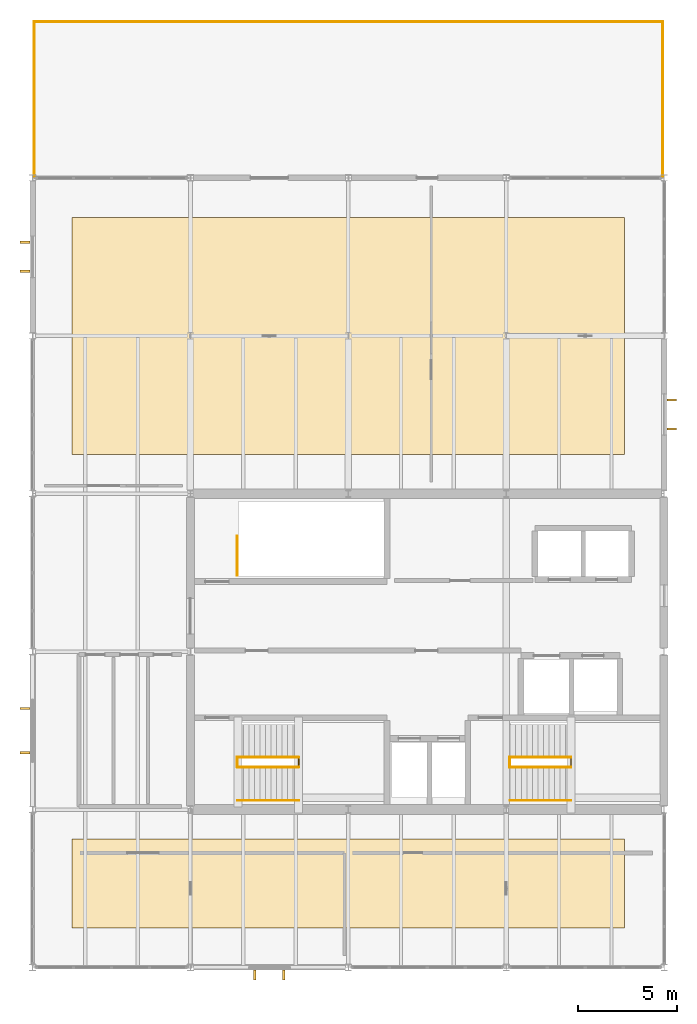
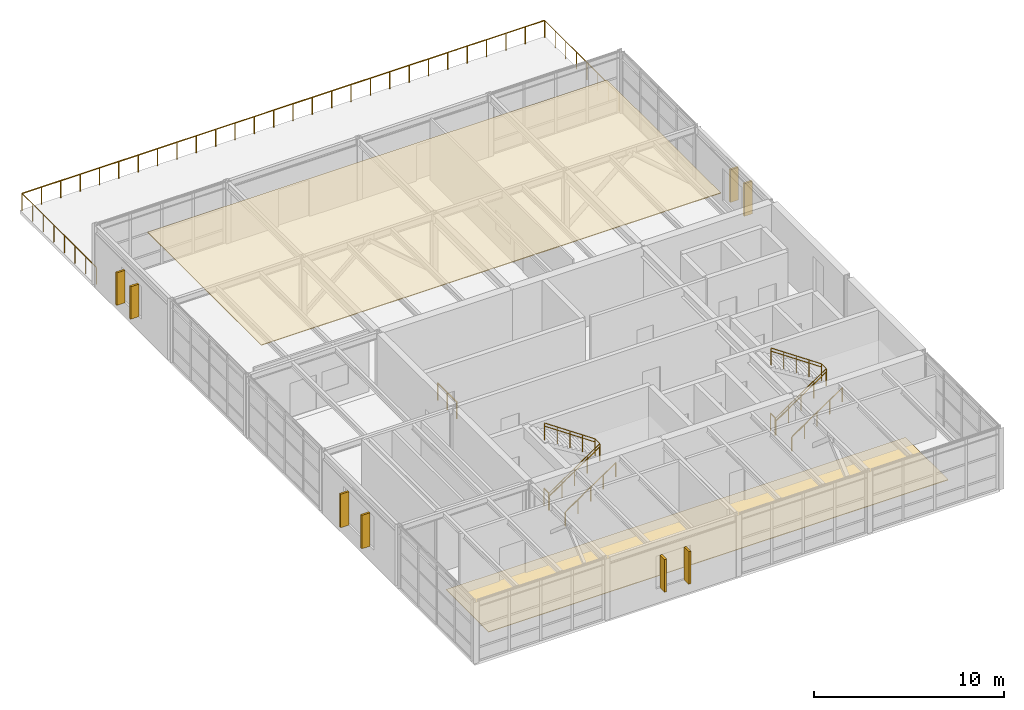
# One storey, part 15 of 15: 16 railings, 8 shading devices, 2 coverings.
"""IFC4 building model written with IfcOpenShell, lengths in metres."""

import ifcopenshell
import ifcopenshell.guid

model = None  # the IFC model being written
_history = None  # IfcOwnerHistory: only IFC2X3 demands one
_inside = {}  # id of a spatial element -> (the spatial element, [elements in it])
_under = {}  # id of a project, library or spatial element -> (it, [spatial elements below it])
_declared = {}  # id of a project -> (the project, [libraries it declares])
_typed = {}  # id of a type object -> (the type object, [elements of that type])
_made_of = {}  # id of a material, layer set ... -> (it, [elements and type objects made of it])


def new_model(schema):
    """Start an empty IFC model of exactly this schema.

    Asked for "IFC4X3", IfcOpenShell would pick the latest addendum, in which some entities
    have other attributes; the version numbers below select the first issue.
    IFC2X3 requires an IfcOwnerHistory on every rooted entity: one is made here for all.
    """
    global model, _history
    if schema == "IFC4X3":
        model = ifcopenshell.file(schema_version=(4, 3, 0, 0))
    else:
        model = ifcopenshell.file(schema=schema)
    _inside.clear()
    _under.clear()
    _declared.clear()
    _typed.clear()
    _made_of.clear()
    _history = None
    if model.schema == "IFC2X3":
        org = make("IfcOrganization", Name="unknown")
        user = make(
            "IfcPersonAndOrganization",
            ThePerson=make("IfcPerson", FamilyName="unknown"),
            TheOrganization=org,
        )
        app = make(
            "IfcApplication",
            ApplicationDeveloper=org,
            Version="unknown",
            ApplicationFullName="unknown",
            ApplicationIdentifier="unknown",
        )
        _history = make(
            "IfcOwnerHistory",
            OwningUser=user,
            OwningApplication=app,
            ChangeAction="ADDED",
            CreationDate=0,
        )
    return model


def make(cls, **values):
    """One entity of the class cls with the attributes given. An attribute that is None is left unset."""
    return model.create_entity(
        cls, **{name: value for name, value in values.items() if value is not None}
    )


def rooted(cls, **values):
    """An entity with a GlobalId (a new one), such as an element, a storey or a relation."""
    return make(cls, GlobalId=ifcopenshell.guid.new(), OwnerHistory=_history, **values)


def si_unit(unit_type, name, prefix=None):
    """IfcSIUnit, for example si_unit("LENGTHUNIT", "METRE", prefix="MILLI")."""
    return make("IfcSIUnit", UnitType=unit_type, Prefix=prefix, Name=name)


def assignment(units):
    """IfcUnitAssignment: the units of a project."""
    return None if units is None else make("IfcUnitAssignment", Units=units)


def point(xyz):
    """IfcCartesianPoint."""
    return None if xyz is None else make("IfcCartesianPoint", Coordinates=xyz)


def direction(xyz):
    """IfcDirection."""
    return None if xyz is None else make("IfcDirection", DirectionRatios=xyz)


def frame(location, z_axis=None, x_axis=None):
    """IfcAxis2Placement3D, a coordinate frame: its origin and axes. An axis left out is left unset."""
    return make(
        "IfcAxis2Placement3D",
        Location=point(location),
        Axis=direction(z_axis),
        RefDirection=direction(x_axis),
    )


def frame_2d(location, x_axis=None):
    """IfcAxis2Placement2D, a coordinate frame in the plane: its origin and x axis."""
    return make(
        "IfcAxis2Placement2D", Location=point(location), RefDirection=direction(x_axis)
    )


def origin():
    """The frame at (0, 0, 0) with its axes left unset."""
    return frame((0.0, 0.0, 0.0))


def origin_2d():
    """The frame at (0, 0) in the plane with its x axis left unset."""
    return frame_2d((0.0, 0.0))


def place(relative_to, where):
    """IfcLocalPlacement: puts the frame where relative to a parent placement (None: the world)."""
    return make(
        "IfcLocalPlacement", PlacementRelTo=relative_to, RelativePlacement=where
    )


def context(
    kind, dimensions, precision=None, world=None, true_north=None, identifier=None
):
    """IfcGeometricRepresentationContext, for example the 3D "Model" context."""
    return make(
        "IfcGeometricRepresentationContext",
        ContextIdentifier=identifier,
        ContextType=kind,
        CoordinateSpaceDimension=dimensions,
        Precision=precision,
        WorldCoordinateSystem=world,
        TrueNorth=true_north,
    )


def subcontext(parent, identifier, kind, view, scale=None):
    """IfcGeometricRepresentationSubContext, for example "Body" below "Model"."""
    return make(
        "IfcGeometricRepresentationSubContext",
        ContextIdentifier=identifier,
        ContextType=kind,
        ParentContext=parent,
        TargetScale=scale,
        TargetView=view,
    )


def project(units=None, contexts=None):
    """IfcProject with its units and contexts."""
    return rooted(
        "IfcProject",
        Name="project",
        RepresentationContexts=contexts,
        UnitsInContext=assignment(units),
    )


def spatial(cls, under=None, at=None, **own):
    """A site, building, storey or space (cls), placed at a placement, below another one or the project."""
    s = rooted(cls, ObjectPlacement=at, **own)
    if under is not None:
        _under.setdefault(under.id(), (under, []))[1].append(s)
    return s


def polyline(points):
    """IfcPolyline through the points."""
    return make("IfcPolyline", Points=[point(p) for p in points])


def profile(cls, at=None, kind="AREA", **sizes):
    """A parametric profile (cls). Its sizes go by their IFC names, for example OverallWidth=200.0."""
    return make(cls, ProfileType=kind, Position=at, **sizes)


def rectangle(**sizes):
    """IfcRectangleProfileDef."""
    return profile("IfcRectangleProfileDef", **sizes)


def circle(**sizes):
    """IfcCircleProfileDef."""
    return profile("IfcCircleProfileDef", **sizes)


def outline(outer, holes=None, kind="AREA"):
    """IfcArbitraryClosedProfileDef: a profile drawn as a closed curve; with holes, ...WithVoids."""
    if holes is None:
        return make("IfcArbitraryClosedProfileDef", ProfileType=kind, OuterCurve=outer)
    return make(
        "IfcArbitraryProfileDefWithVoids",
        ProfileType=kind,
        OuterCurve=outer,
        InnerCurves=holes,
    )


def extrude(swept, where, along, depth):
    """IfcExtrudedAreaSolid: the profile swept, set in the frame where, extruded along a direction by depth."""
    return make(
        "IfcExtrudedAreaSolid",
        SweptArea=swept,
        Position=where,
        ExtrudedDirection=direction(along),
        Depth=depth,
    )


def shape(context_of_items, identifier, shape_type, items):
    """IfcShapeRepresentation: the items that make up one representation, for example the "Body"."""
    return make(
        "IfcShapeRepresentation",
        ContextOfItems=context_of_items,
        RepresentationIdentifier=identifier,
        RepresentationType=shape_type,
        Items=items,
    )


def material(Name=None, Category=None):
    """IfcMaterial."""
    return make("IfcMaterial", Name=Name, Category=Category)


def layer(
    of_material, thickness, ventilated=None, Name=None, Category=None, Priority=None
):
    """IfcMaterialLayer: one layer of a wall or slab, of a material (None: an air gap)."""
    return make(
        "IfcMaterialLayer",
        Material=of_material,
        LayerThickness=thickness,
        IsVentilated=ventilated,
        Name=Name,
        Category=Category,
        Priority=Priority,
    )


def layer_set(layers, Name=None):
    """IfcMaterialLayerSet."""
    return make("IfcMaterialLayerSet", MaterialLayers=layers, LayerSetName=Name)


def made_of(thing, what):
    """Note that an element or type object is made of a material, layer set ...; save() writes the relation."""
    if what is not None:
        _made_of.setdefault(what.id(), (what, []))[1].append(thing)
    return thing


def type_object(cls, material=None, **own):
    """A type object (cls), such as IfcWallType, which elements share."""
    return made_of(rooted(cls, **own), material)


def element(
    cls,
    number,
    at=None,
    inside=None,
    cuts=None,
    type_object=None,
    material=None,
    context=None,
    identifier="Body",
    shape_type=None,
    held_by="IfcProductDefinitionShape",
    body=None,
    shapes=None,
    **own,
):
    """One element of the class cls, such as IfcWall. Its Tag is "e" and its number.

    at: its placement. inside: the storey or other place that contains it. cuts: it is an
    opening in that element (IfcRelVoidsElement). A single representation is given by context,
    identifier, shape_type and body (its items); several are given by shapes. held_by: the class
    of the entity that holds the representations. save() writes the other relations.
    """
    e = rooted(cls, Tag="e%d" % number, ObjectPlacement=at, **own)
    if body is not None:
        shapes = [shape(context, identifier, shape_type, body)]
    if shapes is not None:
        e.Representation = make(held_by, Representations=shapes)
    if inside is not None:
        _inside.setdefault(inside.id(), (inside, []))[1].append(e)
    if cuts is not None:
        rooted(
            "IfcRelVoidsElement", RelatingBuildingElement=cuts, RelatedOpeningElement=e
        )
    if type_object is not None:
        _typed.setdefault(type_object.id(), (type_object, []))[1].append(e)
    return made_of(e, material)


def aggregate(whole, parts):
    """IfcRelAggregates: a whole, such as a stair, and the parts it consists of."""
    return rooted("IfcRelAggregates", RelatingObject=whole, RelatedObjects=parts)


def save(model, path):
    """Write the relations noted so far, then the file.

    IfcRelAggregates (storeys below a building ...), IfcRelContainedInSpatialStructure (elements
    in a storey), IfcRelDefinesByType, IfcRelAssociatesMaterial and IfcRelDeclares: one each for
    every whole, place, type object, material and project.
    """
    for whole, parts in _under.values():
        aggregate(whole, parts)
    for where, things in _inside.values():
        rooted(
            "IfcRelContainedInSpatialStructure",
            RelatedElements=things,
            RelatingStructure=where,
        )
    for kind, things in _typed.values():
        rooted("IfcRelDefinesByType", RelatedObjects=things, RelatingType=kind)
    for what, things in _made_of.values():
        rooted("IfcRelAssociatesMaterial", RelatedObjects=things, RelatingMaterial=what)
    for by, libraries in _declared.values():
        rooted("IfcRelDeclares", RelatingContext=by, RelatedDefinitions=libraries)
    model.write(path)


model = new_model("IFC4")

# Units and contexts
model_context = context("Model", 3, precision=1e-05, world=origin(), true_north=direction((0.0, 1.0)))
body_context = subcontext(model_context, "Body", "Model", "MODEL_VIEW")
ifc_project = project(units=[si_unit("LENGTHUNIT", "METRE"), si_unit("AREAUNIT", "SQUARE_METRE"), si_unit("VOLUMEUNIT", "CUBIC_METRE"), si_unit("PLANEANGLEUNIT", "RADIAN"), si_unit("MASSUNIT", "GRAM", prefix="KILO")], contexts=[model_context])

# Site, building, storey
site_placement = place(None, origin())
site = spatial("IfcSite", under=ifc_project, at=site_placement, CompositionType="ELEMENT")
building_placement = place(site_placement, origin())
building = spatial("IfcBuilding", under=site, at=building_placement, Name="Varnela Railside Interchange", CompositionType="ELEMENT")
storey_placement = place(building_placement, frame((0.0, 0.0, 32.199951171875)))
storey = spatial("IfcBuildingStorey", under=building, at=storey_placement, Name="L07", CompositionType="ELEMENT", Elevation=32.199951171875)

# Covering
ifc_material_1 = material(Name="Concrete C40 precast", Category="concrete")
ifc_layer_1 = layer(ifc_material_1, 0.034912109375)
ifc_layer_set_1 = layer_set([ifc_layer_1], Name="Concrete C40 precast")
covering_type_1 = type_object("IfcCoveringType", Name="Heavy-Duty Granite Terrazzo Flooring CV-FLR", PredefinedType="FLOORING", material=ifc_layer_set_1)
covering_1_placement = place(storey_placement, origin())
element("IfcCovering", 1, at=covering_1_placement, inside=storey, type_object=covering_type_1, Name="Heavy-Duty Granite Terrazzo Flooring CV-FLR", PredefinedType="FLOORING", context=body_context, shape_type="SweptSolid", body=[
    extrude(outline(polyline([(6.0, 48.0), (34.0, 48.0), (34.0, 52.5), (6.0, 52.5), (6.0, 48.0)])), origin(), (0.0, 0.0, 1.0), 0.03515625),
])

# Shading devices
shading_device_type = type_object("IfcShadingDeviceType", Name="Paulista Vertical Brise-Soleil BS-01", PredefinedType="USERDEFINED", material=ifc_material_1)
for number, where, z_axis, x_axis, name in (
    (2, (16.735107421875, 45.614990234375, 0.949951171875), (0.0, 0.0, 1.0), (0.0, -1.0, 0.0), "Paulista Vertical Brise-Soleil BS-01 (L07)"),
    (3, (15.264892578125, 45.614990234375, 0.949951171875), (0.0, 0.0, 1.0), (0.0, -1.0, 0.0), "Paulista Vertical Brise-Soleil BS-01 (L07)"),
):
    element("IfcShadingDevice", number, at=place(storey_placement, frame(where, z_axis=z_axis, x_axis=x_axis)), inside=storey, type_object=shading_device_type, Name=name, ObjectType="FIN", PredefinedType="USERDEFINED", context=body_context, shape_type="SweptSolid", body=[
        extrude(rectangle(XDim=0.5, YDim=0.1201171875, at=origin_2d()), origin(), (0.0, 0.0, 1.0), 2.10009765625),
    ])
for number, where, z_axis, x_axis, name in (
    (4, (3.614990234375, 56.8798828125, 0.9501953125), (0.0, 0.0, 1.0), (-1.0, 0.0, 0.0), "Paulista Vertical Brise-Soleil BS-01 (L07)"),
    (5, (3.614990234375, 59.1201171875, 0.9501953125), (0.0, 0.0, 1.0), (-1.0, 0.0, 0.0), "Paulista Vertical Brise-Soleil BS-01 (L07)"),
):
    element("IfcShadingDevice", number, at=place(storey_placement, frame(where, z_axis=z_axis, x_axis=x_axis)), inside=storey, type_object=shading_device_type, Name=name, ObjectType="FIN", PredefinedType="USERDEFINED", context=body_context, shape_type="SweptSolid", body=[
        extrude(rectangle(XDim=0.5, YDim=0.1201171875, at=origin_2d()), origin(), (0.0, 0.0, 1.0), 2.14990234375),
    ])
for number, where, z_axis, x_axis, name in (
    (6, (3.614990234375, 81.264892578125, 0.949951171875), (0.0, 0.0, 1.0), (-1.0, 0.0, 0.0), "Paulista Vertical Brise-Soleil BS-01 (L07)"),
    (7, (3.614990234375, 82.735107421875, 0.949951171875), (0.0, 0.0, 1.0), (-1.0, 0.0, 0.0), "Paulista Vertical Brise-Soleil BS-01 (L07)"),
    (8, (36.385009765625, 74.748779296875, 0.949951171875), (0.0, 0.0, 1.0), (1.0, 0.0, 0.0), "Paulista Vertical Brise-Soleil BS-01 (L07)"),
    (9, (36.385009765625, 73.27880859375, 0.949951171875), (0.0, 0.0, 1.0), (1.0, 0.0, 0.0), "Paulista Vertical Brise-Soleil BS-01 (L07)"),
):
    element("IfcShadingDevice", number, at=place(storey_placement, frame(where, z_axis=z_axis, x_axis=x_axis)), inside=storey, type_object=shading_device_type, Name=name, ObjectType="FIN", PredefinedType="USERDEFINED", context=body_context, shape_type="SweptSolid", body=[
        extrude(rectangle(XDim=0.5, YDim=0.1201171875, at=origin_2d()), origin(), (0.0, 0.0, 1.0), 2.10009765625),
    ])

# Covering
ifc_material_2 = material(Name="Gypsum acoustic board")
ifc_layer_2 = layer(ifc_material_2, 0.044921875)
ifc_layer_set_2 = layer_set([ifc_layer_2], Name="Gypsum acoustic board")
covering_type_2 = type_object("IfcCoveringType", Name="Perforated Acoustic Baffle Ceiling CV-CLG", PredefinedType="CEILING", material=ifc_layer_set_2)
covering_2_placement = place(storey_placement, frame((0.0, 0.0, 3.9150390625)))
element("IfcCovering", 10, at=covering_2_placement, inside=storey, type_object=covering_type_2, Name="Perforated Acoustic Baffle Ceiling CV-CLG", PredefinedType="CEILING", context=body_context, shape_type="SweptSolid", body=[
    extrude(outline(polyline([(6.0, 72.0), (34.0, 72.0), (34.0, 84.0), (6.0, 84.0), (6.0, 72.0)])), origin(), (0.0, 0.0, 1.0), 0.044921875),
])

# Railings
ifc_material_3 = material(Name="Steel AR 350 (350 MPa)", Category="steel")
railing_type_1 = type_object("IfcRailingType", Name="Perimeter Terrace Guardrail GR-01", PredefinedType="GUARDRAIL", material=ifc_material_3)
railing_1_placement = place(storey_placement, frame((4.080078125, 86.080078125, 0.0)))
element("IfcRailing", 11, at=railing_1_placement, inside=storey, type_object=railing_type_1, Name="OCC North Observation Terrace Guardrail (W) (RL-0481)", PredefinedType="GUARDRAIL", context=body_context, shape_type="SweptSolid", body=[
    extrude(circle(Radius=0.02392578125, at=origin_2d()), frame((0.0, 0.0, 1.09619140625), z_axis=(0.0, 1.0, 0.0), x_axis=(-1.0, 0.0, 0.0)), (0.0, 0.0, 1.0), 7.83984375),
    extrude(circle(Radius=0.02099609375, at=origin_2d()), origin(), (0.0, 0.0, 1.0), 1.072021484375),
    extrude(circle(Radius=0.02099609375, at=origin_2d()), frame((0.0, 1.119873046875, 0.0)), (0.0, 0.0, 1.0), 1.072021484375),
    extrude(circle(Radius=0.02099609375, at=origin_2d()), frame((0.0, 2.239990234375, 0.0)), (0.0, 0.0, 1.0), 1.072021484375),
    extrude(circle(Radius=0.02099609375, at=origin_2d()), frame((0.0, 3.35986328125, 0.0)), (0.0, 0.0, 1.0), 1.072021484375),
    extrude(circle(Radius=0.02099609375, at=origin_2d()), frame((0.0, 4.47998046875, 0.0)), (0.0, 0.0, 1.0), 1.072021484375),
    extrude(circle(Radius=0.02099609375, at=origin_2d()), frame((0.0, 5.599853515625, 0.0)), (0.0, 0.0, 1.0), 1.072021484375),
    extrude(circle(Radius=0.02099609375, at=origin_2d()), frame((0.0, 6.719970703125, 0.0)), (0.0, 0.0, 1.0), 1.072021484375),
    extrude(circle(Radius=0.02099609375, at=origin_2d()), frame((0.0, 7.83984375, 0.0)), (0.0, 0.0, 1.0), 1.072021484375),
])
railing_2_placement = place(storey_placement, frame((4.080078125, 93.919921875, 0.0)))
element("IfcRailing", 12, at=railing_2_placement, inside=storey, type_object=railing_type_1, Name="OCC North Observation Terrace Guardrail (N) (RL-0480)", PredefinedType="GUARDRAIL", context=body_context, shape_type="SweptSolid", body=[
    extrude(circle(Radius=0.02392578125, at=origin_2d()), frame((0.0, 0.0, 1.09619140625), z_axis=(1.0, 0.0, 0.0), x_axis=(0.0, 1.0, 0.0)), (0.0, 0.0, 1.0), 31.83984375),
    extrude(circle(Radius=0.02099609375, at=origin_2d()), origin(), (0.0, 0.0, 1.0), 1.072021484375),
    extrude(circle(Radius=0.02099609375, at=origin_2d()), frame((1.17919921875, 0.0, 0.0)), (0.0, 0.0, 1.0), 1.072021484375),
    extrude(circle(Radius=0.02099609375, at=origin_2d()), frame((2.3583984375, 0.0, 0.0)), (0.0, 0.0, 1.0), 1.072021484375),
    extrude(circle(Radius=0.02099609375, at=origin_2d()), frame((3.537841796875, 0.0, 0.0)), (0.0, 0.0, 1.0), 1.072021484375),
    extrude(circle(Radius=0.02099609375, at=origin_2d()), frame((4.717041015625, 0.0, 0.0)), (0.0, 0.0, 1.0), 1.072021484375),
    extrude(circle(Radius=0.02099609375, at=origin_2d()), frame((5.896240234375, 0.0, 0.0)), (0.0, 0.0, 1.0), 1.072021484375),
    extrude(circle(Radius=0.02099609375, at=origin_2d()), frame((7.075439453125, 0.0, 0.0)), (0.0, 0.0, 1.0), 1.072021484375),
    extrude(circle(Radius=0.02099609375, at=origin_2d()), frame((8.2548828125, 0.0, 0.0)), (0.0, 0.0, 1.0), 1.072021484375),
    extrude(circle(Radius=0.02099609375, at=origin_2d()), frame((9.43408203125, 0.0, 0.0)), (0.0, 0.0, 1.0), 1.072021484375),
    extrude(circle(Radius=0.02099609375, at=origin_2d()), frame((10.61328125, 0.0, 0.0)), (0.0, 0.0, 1.0), 1.072021484375),
    extrude(circle(Radius=0.02099609375, at=origin_2d()), frame((11.79248046875, 0.0, 0.0)), (0.0, 0.0, 1.0), 1.072021484375),
    extrude(circle(Radius=0.02099609375, at=origin_2d()), frame((12.9716796875, 0.0, 0.0)), (0.0, 0.0, 1.0), 1.072021484375),
    extrude(circle(Radius=0.02099609375, at=origin_2d()), frame((14.151123046875, 0.0, 0.0)), (0.0, 0.0, 1.0), 1.072021484375),
    extrude(circle(Radius=0.02099609375, at=origin_2d()), frame((15.330322265625, 0.0, 0.0)), (0.0, 0.0, 1.0), 1.072021484375),
    extrude(circle(Radius=0.02099609375, at=origin_2d()), frame((16.509521484375, 0.0, 0.0)), (0.0, 0.0, 1.0), 1.072021484375),
    extrude(circle(Radius=0.02099609375, at=origin_2d()), frame((17.688720703125, 0.0, 0.0)), (0.0, 0.0, 1.0), 1.072021484375),
    extrude(circle(Radius=0.02099609375, at=origin_2d()), frame((18.8681640625, 0.0, 0.0)), (0.0, 0.0, 1.0), 1.072021484375),
    extrude(circle(Radius=0.02099609375, at=origin_2d()), frame((20.04736328125, 0.0, 0.0)), (0.0, 0.0, 1.0), 1.072021484375),
    extrude(circle(Radius=0.02099609375, at=origin_2d()), frame((21.2265625, 0.0, 0.0)), (0.0, 0.0, 1.0), 1.072021484375),
    extrude(circle(Radius=0.02099609375, at=origin_2d()), frame((22.40576171875, 0.0, 0.0)), (0.0, 0.0, 1.0), 1.072021484375),
    extrude(circle(Radius=0.02099609375, at=origin_2d()), frame((23.5849609375, 0.0, 0.0)), (0.0, 0.0, 1.0), 1.072021484375),
    extrude(circle(Radius=0.02099609375, at=origin_2d()), frame((24.764404296875, 0.0, 0.0)), (0.0, 0.0, 1.0), 1.072021484375),
    extrude(circle(Radius=0.02099609375, at=origin_2d()), frame((25.943603515625, 0.0, 0.0)), (0.0, 0.0, 1.0), 1.072021484375),
    extrude(circle(Radius=0.02099609375, at=origin_2d()), frame((27.122802734375, 0.0, 0.0)), (0.0, 0.0, 1.0), 1.072021484375),
    extrude(circle(Radius=0.02099609375, at=origin_2d()), frame((28.302001953125, 0.0, 0.0)), (0.0, 0.0, 1.0), 1.072021484375),
    extrude(circle(Radius=0.02099609375, at=origin_2d()), frame((29.4814453125, 0.0, 0.0)), (0.0, 0.0, 1.0), 1.072021484375),
    extrude(circle(Radius=0.02099609375, at=origin_2d()), frame((30.66064453125, 0.0, 0.0)), (0.0, 0.0, 1.0), 1.072021484375),
    extrude(circle(Radius=0.02099609375, at=origin_2d()), frame((31.83984375, 0.0, 0.0)), (0.0, 0.0, 1.0), 1.072021484375),
])
railing_3_placement = place(storey_placement, frame((35.919921875, 86.080078125, 0.0)))
element("IfcRailing", 13, at=railing_3_placement, inside=storey, type_object=railing_type_1, Name="OCC North Observation Terrace Guardrail (E) (RL-0479)", PredefinedType="GUARDRAIL", context=body_context, shape_type="SweptSolid", body=[
    extrude(circle(Radius=0.02392578125, at=origin_2d()), frame((0.0, 0.0, 1.09619140625), z_axis=(0.0, 1.0, 0.0), x_axis=(-1.0, 0.0, 0.0)), (0.0, 0.0, 1.0), 7.83984375),
    extrude(circle(Radius=0.02099609375, at=origin_2d()), origin(), (0.0, 0.0, 1.0), 1.072021484375),
    extrude(circle(Radius=0.02099609375, at=origin_2d()), frame((0.0, 1.119873046875, 0.0)), (0.0, 0.0, 1.0), 1.072021484375),
    extrude(circle(Radius=0.02099609375, at=origin_2d()), frame((0.0, 2.239990234375, 0.0)), (0.0, 0.0, 1.0), 1.072021484375),
    extrude(circle(Radius=0.02099609375, at=origin_2d()), frame((0.0, 3.35986328125, 0.0)), (0.0, 0.0, 1.0), 1.072021484375),
    extrude(circle(Radius=0.02099609375, at=origin_2d()), frame((0.0, 4.47998046875, 0.0)), (0.0, 0.0, 1.0), 1.072021484375),
    extrude(circle(Radius=0.02099609375, at=origin_2d()), frame((0.0, 5.599853515625, 0.0)), (0.0, 0.0, 1.0), 1.072021484375),
    extrude(circle(Radius=0.02099609375, at=origin_2d()), frame((0.0, 6.719970703125, 0.0)), (0.0, 0.0, 1.0), 1.072021484375),
    extrude(circle(Radius=0.02099609375, at=origin_2d()), frame((0.0, 7.83984375, 0.0)), (0.0, 0.0, 1.0), 1.072021484375),
])
railing_type_2 = type_object("IfcRailingType", Name="Stair & Ramp Pitch Handrail HR-01", PredefinedType="HANDRAIL", material=ifc_material_3)
railing_4_placement = place(storey_placement, frame((14.39990234375, 56.14990234375, 0.0)))
element("IfcRailing", 14, at=railing_4_placement, inside=storey, type_object=railing_type_2, Name="Stair Handrail ST-T1 Flight 1 (RL-0482)", PredefinedType="HANDRAIL", context=body_context, shape_type="SweptSolid", body=[
    extrude(circle(Radius=0.02392578125, at=origin_2d()), frame((0.0, 0.0, 0.89599609375), z_axis=(0.826221800596, 0.0, 0.563344953133), x_axis=(0.0, 1.0, 0.0)), (0.0, 0.0, 1.0), 3.72802734375),
    extrude(circle(Radius=0.02099609375, at=origin_2d()), origin(), (0.0, 0.0, 1.0), 0.871826171875),
    extrude(circle(Radius=0.02099609375, at=origin_2d()), frame((0.77001953125, 0.0, 0.52490234375)), (0.0, 0.0, 1.0), 0.871826171875),
    extrude(circle(Radius=0.02099609375, at=origin_2d()), frame((1.5400390625, 0.0, 1.050048828125)), (0.0, 0.0, 1.0), 0.871826171875),
    extrude(circle(Radius=0.02099609375, at=origin_2d()), frame((2.31005859375, 0.0, 1.5751953125)), (0.0, 0.0, 1.0), 0.871826171875),
    extrude(circle(Radius=0.02099609375, at=origin_2d()), frame((3.080078125, 0.0, 2.10009765625)), (0.0, 0.0, 1.0), 0.871826171875),
])
railing_5_placement = place(storey_placement, frame((17.47998046875, 56.64990234375, 2.10009765625)))
element("IfcRailing", 15, at=railing_5_placement, inside=storey, type_object=railing_type_2, Name="Stair Handrail ST-T1 Flight 2 (RL-0483)", PredefinedType="HANDRAIL", context=body_context, shape_type="SweptSolid", body=[
    extrude(circle(Radius=0.02392578125, at=origin_2d()), frame((0.0, 0.0, 0.89599609375), z_axis=(-0.826252282691, 0.0, 0.563300244406), x_axis=(0.0, -1.0, 0.0)), (0.0, 0.0, 1.0), 3.727783203125),
    extrude(circle(Radius=0.02099609375, at=origin_2d()), origin(), (0.0, 0.0, 1.0), 0.871826171875),
    extrude(circle(Radius=0.02099609375, at=origin_2d()), frame((-0.77001953125, 0.0, 0.52490234375)), (0.0, 0.0, 1.0), 0.871826171875),
    extrude(circle(Radius=0.02099609375, at=origin_2d()), frame((-1.5400390625, 0.0, 1.0498046875)), (0.0, 0.0, 1.0), 0.871826171875),
    extrude(circle(Radius=0.02099609375, at=origin_2d()), frame((-2.31005859375, 0.0, 1.574951171875)), (0.0, 0.0, 1.0), 0.871826171875),
    extrude(circle(Radius=0.02099609375, at=origin_2d()), frame((-3.080078125, 0.0, 2.099853515625)), (0.0, 0.0, 1.0), 0.871826171875),
])
railing_6_placement = place(storey_placement, frame((28.199951171875, 56.14990234375, 0.0)))
element("IfcRailing", 16, at=railing_6_placement, inside=storey, type_object=railing_type_2, Name="Stair Handrail ST-T2 Flight 1 (RL-0484)", PredefinedType="HANDRAIL", context=body_context, shape_type="SweptSolid", body=[
    extrude(circle(Radius=0.02392578125, at=origin_2d()), frame((0.0, 0.0, 0.89599609375), z_axis=(0.826221800596, 0.0, 0.563344953133), x_axis=(0.0, 1.0, 0.0)), (0.0, 0.0, 1.0), 3.72802734375),
    extrude(circle(Radius=0.02099609375, at=origin_2d()), origin(), (0.0, 0.0, 1.0), 0.871826171875),
    extrude(circle(Radius=0.02099609375, at=origin_2d()), frame((0.77001953125, 0.0, 0.52490234375)), (0.0, 0.0, 1.0), 0.871826171875),
    extrude(circle(Radius=0.02099609375, at=origin_2d()), frame((1.5400390625, 0.0, 1.050048828125)), (0.0, 0.0, 1.0), 0.871826171875),
    extrude(circle(Radius=0.02099609375, at=origin_2d()), frame((2.31005859375, 0.0, 1.5751953125)), (0.0, 0.0, 1.0), 0.871826171875),
    extrude(circle(Radius=0.02099609375, at=origin_2d()), frame((3.080078125, 0.0, 2.10009765625)), (0.0, 0.0, 1.0), 0.871826171875),
])
railing_7_placement = place(storey_placement, frame((31.280029296875, 56.64990234375, 2.10009765625)))
element("IfcRailing", 17, at=railing_7_placement, inside=storey, type_object=railing_type_2, Name="Stair Handrail ST-T2 Flight 2 (RL-0485)", PredefinedType="HANDRAIL", context=body_context, shape_type="SweptSolid", body=[
    extrude(circle(Radius=0.02392578125, at=origin_2d()), frame((0.0, 0.0, 0.89599609375), z_axis=(-0.826252282691, 0.0, 0.563300244406), x_axis=(0.0, -1.0, 0.0)), (0.0, 0.0, 1.0), 3.727783203125),
    extrude(circle(Radius=0.02099609375, at=origin_2d()), origin(), (0.0, 0.0, 1.0), 0.871826171875),
    extrude(circle(Radius=0.02099609375, at=origin_2d()), frame((-0.77001953125, 0.0, 0.52490234375)), (0.0, 0.0, 1.0), 0.871826171875),
    extrude(circle(Radius=0.02099609375, at=origin_2d()), frame((-1.5400390625, 0.0, 1.0498046875)), (0.0, 0.0, 1.0), 0.871826171875),
    extrude(circle(Radius=0.02099609375, at=origin_2d()), frame((-2.31005859375, 0.0, 1.574951171875)), (0.0, 0.0, 1.0), 0.871826171875),
    extrude(circle(Radius=0.02099609375, at=origin_2d()), frame((-3.080078125, 0.0, 2.099853515625)), (0.0, 0.0, 1.0), 0.871826171875),
])
railing_type_3 = type_object("IfcRailingType", Name="Stair Well & Landing Guard GR-02", PredefinedType="GUARDRAIL", material=ifc_material_3)
railing_8_placement = place(storey_placement, frame((14.3701171875, 56.14990234375, 0.0)))
element("IfcRailing", 18, at=railing_8_placement, inside=storey, type_object=railing_type_3, Name="Stair Well Slot Guard ST-T1 on L07 (RL-0474)", PredefinedType="GUARDRAIL", context=body_context, shape_type="SweptSolid", body=[
    extrude(circle(Radius=0.02392578125, at=origin_2d()), frame((0.0, 0.0, 1.09619140625), z_axis=(0.0, 1.0, 0.0), x_axis=(-1.0, 0.0, 0.0)), (0.0, 0.0, 1.0), 0.5),
    extrude(circle(Radius=0.02099609375, at=origin_2d()), origin(), (0.0, 0.0, 1.0), 1.072021484375),
    extrude(circle(Radius=0.02099609375, at=origin_2d()), frame((0.0, 0.5, 0.0)), (0.0, 0.0, 1.0), 1.072021484375),
])
railing_9_placement = place(storey_placement, frame((14.39990234375, 56.14990234375, 0.0)))
element("IfcRailing", 19, at=railing_9_placement, inside=storey, type_object=railing_type_3, Name="Stair Guard ST-T1 Half-Landing (RL-0472)", PredefinedType="GUARDRAIL", context=body_context, shape_type="SweptSolid", body=[
    extrude(circle(Radius=0.02392578125, at=origin_2d()), frame((0.0, 0.0, 1.09619140625), z_axis=(0.826221800596, 0.0, 0.563344953133), x_axis=(0.0, 1.0, 0.0)), (0.0, 0.0, 1.0), 3.72802734375),
    extrude(circle(Radius=0.02392578125, at=origin_2d()), frame((3.080078125, 0.0, 3.1962890625), z_axis=(0.0, 1.0, 0.0), x_axis=(-1.0, 0.0, 0.0)), (0.0, 0.0, 1.0), 0.5),
    extrude(circle(Radius=0.02099609375, at=origin_2d()), origin(), (0.0, 0.0, 1.0), 1.072021484375),
    extrude(circle(Radius=0.02099609375, at=origin_2d()), frame((0.77001953125, 0.0, 0.52490234375)), (0.0, 0.0, 1.0), 1.072021484375),
    extrude(circle(Radius=0.02099609375, at=origin_2d()), frame((1.5400390625, 0.0, 1.050048828125)), (0.0, 0.0, 1.0), 1.072021484375),
    extrude(circle(Radius=0.02099609375, at=origin_2d()), frame((2.31005859375, 0.0, 1.5751953125)), (0.0, 0.0, 1.0), 1.072021484375),
    extrude(circle(Radius=0.02099609375, at=origin_2d()), frame((3.080078125, 0.0, 2.10009765625)), (0.0, 0.0, 1.0), 1.072021484375),
    extrude(circle(Radius=0.02099609375, at=origin_2d()), frame((3.080078125, 0.5, 2.10009765625)), (0.0, 0.0, 1.0), 1.072021484375),
])
railing_10_placement = place(storey_placement, frame((17.47998046875, 56.64990234375, 2.10009765625)))
element("IfcRailing", 20, at=railing_10_placement, inside=storey, type_object=railing_type_3, Name="Stair Guard ST-T1 Upper Flight (RL-0473)", PredefinedType="GUARDRAIL", context=body_context, shape_type="SweptSolid", body=[
    extrude(circle(Radius=0.02392578125, at=origin_2d()), frame((0.0, 0.0, 1.09619140625), z_axis=(-0.826252282691, 0.0, 0.563300244406), x_axis=(0.0, -1.0, 0.0)), (0.0, 0.0, 1.0), 3.727783203125),
    extrude(circle(Radius=0.02099609375, at=origin_2d()), origin(), (0.0, 0.0, 1.0), 1.072021484375),
    extrude(circle(Radius=0.02099609375, at=origin_2d()), frame((-0.77001953125, 0.0, 0.52490234375)), (0.0, 0.0, 1.0), 1.072021484375),
    extrude(circle(Radius=0.02099609375, at=origin_2d()), frame((-1.5400390625, 0.0, 1.0498046875)), (0.0, 0.0, 1.0), 1.072021484375),
    extrude(circle(Radius=0.02099609375, at=origin_2d()), frame((-2.31005859375, 0.0, 1.574951171875)), (0.0, 0.0, 1.0), 1.072021484375),
    extrude(circle(Radius=0.02099609375, at=origin_2d()), frame((-3.080078125, 0.0, 2.099853515625)), (0.0, 0.0, 1.0), 1.072021484375),
])
railing_11_placement = place(storey_placement, frame((28.169921875, 56.14990234375, 0.0)))
element("IfcRailing", 21, at=railing_11_placement, inside=storey, type_object=railing_type_3, Name="Stair Well Slot Guard ST-T2 on L07 (RL-0477)", PredefinedType="GUARDRAIL", context=body_context, shape_type="SweptSolid", body=[
    extrude(circle(Radius=0.02392578125, at=origin_2d()), frame((0.0, 0.0, 1.09619140625), z_axis=(0.0, 1.0, 0.0), x_axis=(-1.0, 0.0, 0.0)), (0.0, 0.0, 1.0), 0.5),
    extrude(circle(Radius=0.02099609375, at=origin_2d()), origin(), (0.0, 0.0, 1.0), 1.072021484375),
    extrude(circle(Radius=0.02099609375, at=origin_2d()), frame((0.0, 0.5, 0.0)), (0.0, 0.0, 1.0), 1.072021484375),
])
railing_12_placement = place(storey_placement, frame((28.199951171875, 56.14990234375, 0.0)))
element("IfcRailing", 22, at=railing_12_placement, inside=storey, type_object=railing_type_3, Name="Stair Guard ST-T2 Half-Landing (RL-0475)", PredefinedType="GUARDRAIL", context=body_context, shape_type="SweptSolid", body=[
    extrude(circle(Radius=0.02392578125, at=origin_2d()), frame((0.0, 0.0, 1.09619140625), z_axis=(0.826221800596, 0.0, 0.563344953133), x_axis=(0.0, 1.0, 0.0)), (0.0, 0.0, 1.0), 3.72802734375),
    extrude(circle(Radius=0.02392578125, at=origin_2d()), frame((3.080078125, 0.0, 3.1962890625), z_axis=(0.0, 1.0, 0.0), x_axis=(-1.0, 0.0, 0.0)), (0.0, 0.0, 1.0), 0.5),
    extrude(circle(Radius=0.02099609375, at=origin_2d()), origin(), (0.0, 0.0, 1.0), 1.072021484375),
    extrude(circle(Radius=0.02099609375, at=origin_2d()), frame((0.77001953125, 0.0, 0.52490234375)), (0.0, 0.0, 1.0), 1.072021484375),
    extrude(circle(Radius=0.02099609375, at=origin_2d()), frame((1.5400390625, 0.0, 1.050048828125)), (0.0, 0.0, 1.0), 1.072021484375),
    extrude(circle(Radius=0.02099609375, at=origin_2d()), frame((2.31005859375, 0.0, 1.5751953125)), (0.0, 0.0, 1.0), 1.072021484375),
    extrude(circle(Radius=0.02099609375, at=origin_2d()), frame((3.080078125, 0.0, 2.10009765625)), (0.0, 0.0, 1.0), 1.072021484375),
    extrude(circle(Radius=0.02099609375, at=origin_2d()), frame((3.080078125, 0.5, 2.10009765625)), (0.0, 0.0, 1.0), 1.072021484375),
])
railing_13_placement = place(storey_placement, frame((31.280029296875, 56.64990234375, 2.10009765625)))
element("IfcRailing", 23, at=railing_13_placement, inside=storey, type_object=railing_type_3, Name="Stair Guard ST-T2 Upper Flight (RL-0476)", PredefinedType="GUARDRAIL", context=body_context, shape_type="SweptSolid", body=[
    extrude(circle(Radius=0.02392578125, at=origin_2d()), frame((0.0, 0.0, 1.09619140625), z_axis=(-0.826252282691, 0.0, 0.563300244406), x_axis=(0.0, -1.0, 0.0)), (0.0, 0.0, 1.0), 3.727783203125),
    extrude(circle(Radius=0.02099609375, at=origin_2d()), origin(), (0.0, 0.0, 1.0), 1.072021484375),
    extrude(circle(Radius=0.02099609375, at=origin_2d()), frame((-0.77001953125, 0.0, 0.52490234375)), (0.0, 0.0, 1.0), 1.072021484375),
    extrude(circle(Radius=0.02099609375, at=origin_2d()), frame((-1.5400390625, 0.0, 1.0498046875)), (0.0, 0.0, 1.0), 1.072021484375),
    extrude(circle(Radius=0.02099609375, at=origin_2d()), frame((-2.31005859375, 0.0, 1.574951171875)), (0.0, 0.0, 1.0), 1.072021484375),
    extrude(circle(Radius=0.02099609375, at=origin_2d()), frame((-3.080078125, 0.0, 2.099853515625)), (0.0, 0.0, 1.0), 1.072021484375),
])
railing_14_placement = place(storey_placement, frame((14.360107421875, 65.860107421875, 0.0)))
element("IfcRailing", 24, at=railing_14_placement, inside=storey, type_object=railing_type_3, Name="Stair Well Arrival Guard ST-T3 on L07 (RL-0478)", PredefinedType="GUARDRAIL", context=body_context, shape_type="SweptSolid", body=[
    extrude(circle(Radius=0.02392578125, at=origin_2d()), frame((0.0, 0.0, 1.09619140625), z_axis=(0.0, 1.0, 0.0), x_axis=(-1.0, 0.0, 0.0)), (0.0, 0.0, 1.0), 1.989990234375),
    extrude(circle(Radius=0.02099609375, at=origin_2d()), origin(), (0.0, 0.0, 1.0), 1.072021484375),
    extrude(circle(Radius=0.02099609375, at=origin_2d()), frame((0.0, 0.9951171875, 0.0)), (0.0, 0.0, 1.0), 1.072021484375),
    extrude(circle(Radius=0.02099609375, at=origin_2d()), frame((0.0, 1.989990234375, 0.0)), (0.0, 0.0, 1.0), 1.072021484375),
])
railing_type_4 = type_object("IfcRailingType", Name="Wall-Mounted Stair Handrail HR-02", PredefinedType="HANDRAIL", material=ifc_material_3)
for number, where, name in (
    (25, (14.39990234375, 54.4599609375, 0.0), "Wall Handrail ST-T1 Flight 1 (RL-0486)"),
    (26, (28.199951171875, 54.4599609375, 0.0), "Wall Handrail ST-T2 Flight 1 (RL-0487)"),
):
    element("IfcRailing", number, at=place(storey_placement, frame(where)), inside=storey, type_object=railing_type_4, Name=name, PredefinedType="HANDRAIL", context=body_context, shape_type="SweptSolid", body=[
        extrude(circle(Radius=0.02392578125, at=origin_2d()), frame((0.0, 0.0, 0.89599609375), z_axis=(0.826221800596, 0.0, 0.563344953133), x_axis=(0.0, 1.0, 0.0)), (0.0, 0.0, 1.0), 3.72802734375),
        extrude(circle(Radius=0.02099609375, at=origin_2d()), origin(), (0.0, 0.0, 1.0), 0.871826171875),
        extrude(circle(Radius=0.02099609375, at=origin_2d()), frame((0.77001953125, 0.0, 0.52490234375)), (0.0, 0.0, 1.0), 0.871826171875),
        extrude(circle(Radius=0.02099609375, at=origin_2d()), frame((1.5400390625, 0.0, 1.050048828125)), (0.0, 0.0, 1.0), 0.871826171875),
        extrude(circle(Radius=0.02099609375, at=origin_2d()), frame((2.31005859375, 0.0, 1.5751953125)), (0.0, 0.0, 1.0), 0.871826171875),
        extrude(circle(Radius=0.02099609375, at=origin_2d()), frame((3.080078125, 0.0, 2.10009765625)), (0.0, 0.0, 1.0), 0.871826171875),
    ])

save(model, "model.ifc")
